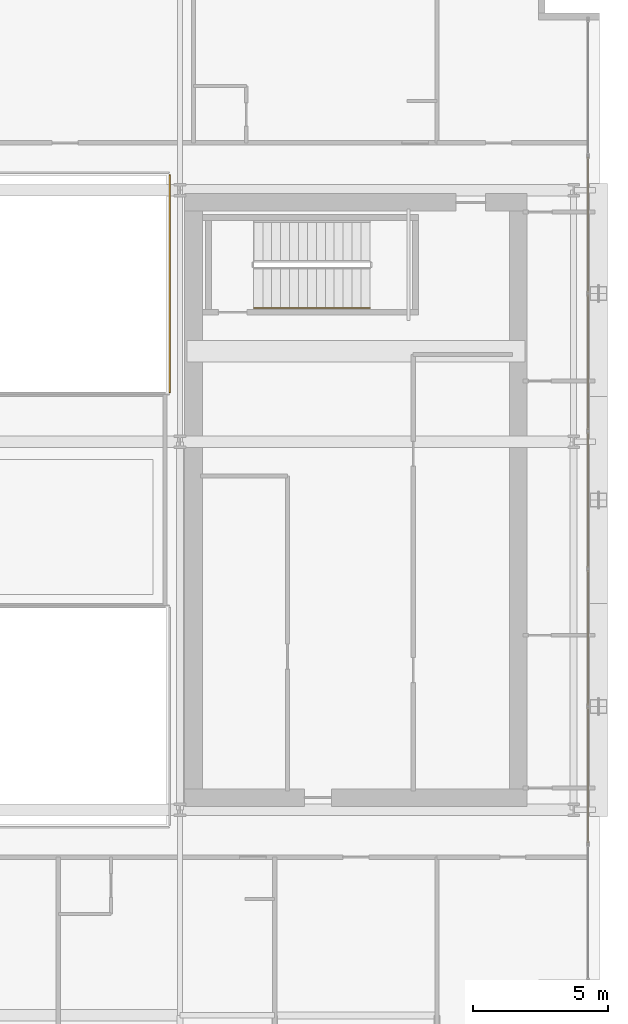
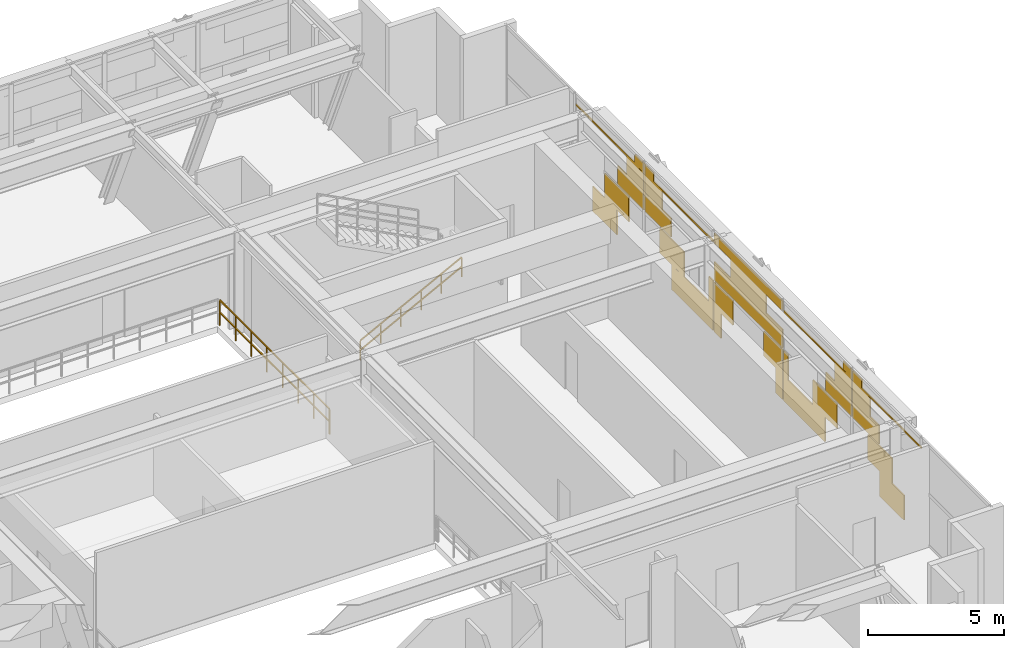
# One storey, part 34 of 35: 2 railings, 1 covering.
"""IFC4 building model written with IfcOpenShell, lengths in metres."""

from ifc_helpers import new_model, si_unit, direction, frame, origin, origin_2d, place, context, subcontext, project, spatial, rectangle, extrude, material, layer, layer_set, type_object, element, save


model = new_model("IFC4")

# Units and contexts
model_context = context("Model", 3, precision=1e-05, world=origin(), true_north=direction((0.0, 1.0)))
body_context = subcontext(model_context, "Body", "Model", "MODEL_VIEW")
ifc_project = project(units=[si_unit("LENGTHUNIT", "METRE"), si_unit("AREAUNIT", "SQUARE_METRE"), si_unit("VOLUMEUNIT", "CUBIC_METRE"), si_unit("PLANEANGLEUNIT", "RADIAN"), si_unit("MASSUNIT", "GRAM", prefix="KILO")], contexts=[model_context])

# Site, building, storey
site_placement = place(None, origin())
site = spatial("IfcSite", under=ifc_project, at=site_placement, CompositionType="ELEMENT")
building_placement = place(site_placement, origin())
building = spatial("IfcBuilding", under=site, at=building_placement, Name="Ocotamira Hotel", CompositionType="ELEMENT")
storey_placement = place(building_placement, frame((0.0, 0.0, 158.39990234375)))
storey = spatial("IfcBuildingStorey", under=building, at=storey_placement, Name="L39", CompositionType="ELEMENT", Elevation=158.39990234375)

# Covering
ifc_material_1 = material(Name="Insulated pale-metal aluminium spandrel panel", Category="aluminium")
ifc_layer = layer(ifc_material_1, 0.044921875)
ifc_layer_set = layer_set([ifc_layer], Name="Insulated pale-metal aluminium spandrel panel")
covering_type = type_object("IfcCoveringType", Name="COV-INFILL-45", PredefinedType="CLADDING", material=ifc_layer_set)
covering_placement = place(storey_placement, origin())
element("IfcCovering", 1, at=covering_placement, inside=storey, type_object=covering_type, Name="L39 Curtain Wall Infill CW-5 CW-L39-E", PredefinedType="CLADDING", context=body_context, shape_type="SweptSolid", body=[
    extrude(rectangle(XDim=1.77001953125, YDim=0.044921875, at=origin_2d()), frame((55.580078125, 15.46630859375, 0.07568359375), z_axis=(0.0, 0.0, 1.0), x_axis=(0.0, 1.0, 0.0)), (0.0, 0.0, 1.0), 1.117919921875),
    extrude(rectangle(XDim=1.77001953125, YDim=0.044921875, at=origin_2d()), frame((55.580078125, 16.3466796875, 1.1943359375), z_axis=(0.0, 0.0, 1.0), x_axis=(0.0, 1.0, 0.0)), (0.0, 0.0, 1.0), 1.117919921875),
    extrude(rectangle(XDim=5.004638671875, YDim=0.044921875, at=origin_2d()), frame((55.580078125, 15.82861328125, 4.048828125), z_axis=(0.0, 0.0, 1.0), x_axis=(0.0, 1.0, 0.0)), (0.0, 0.0, 1.0), 0.073974609375),
    extrude(rectangle(XDim=1.929931640625, YDim=0.044921875, at=origin_2d()), frame((55.580078125, 17.365966796875, 2.38818359375), z_axis=(0.0, 0.0, 1.0), x_axis=(0.0, 1.0, 0.0)), (0.0, 0.0, 1.0), 0.829345703125),
    extrude(rectangle(XDim=1.276611328125, YDim=0.044921875, at=origin_2d()), frame((55.580078125, 17.692626953125, 3.21875), z_axis=(0.0, 0.0, 1.0), x_axis=(0.0, 1.0, 0.0)), (0.0, 0.0, 1.0), 0.829345703125),
    extrude(rectangle(XDim=0.659423828125, YDim=0.044921875, at=origin_2d()), frame((55.580078125, 18.001220703125, 4.12353515625), z_axis=(0.0, 0.0, 1.0), x_axis=(0.0, 1.0, 0.0)), (0.0, 0.0, 1.0), 0.370849609375),
    extrude(rectangle(XDim=1.770263671875, YDim=0.044921875, at=origin_2d()), frame((55.580078125, 20.38671875, 1.1943359375), z_axis=(0.0, 0.0, 1.0), x_axis=(0.0, 1.0, 0.0)), (0.0, 0.0, 1.0), 1.117919921875),
    extrude(rectangle(XDim=3.03466796875, YDim=0.044921875, at=origin_2d()), frame((55.580078125, 21.8994140625, 0.07568359375), z_axis=(0.0, 0.0, 1.0), x_axis=(0.0, 1.0, 0.0)), (0.0, 0.0, 1.0), 1.117919921875),
    extrude(rectangle(XDim=0.32177734375, YDim=0.044921875, at=origin_2d()), frame((55.580078125, 23.255859375, 1.1943359375), z_axis=(0.0, 0.0, 1.0), x_axis=(0.0, 1.0, 0.0)), (0.0, 0.0, 1.0), 1.117919921875),
    extrude(rectangle(XDim=1.92041015625, YDim=0.044921875, at=origin_2d()), frame((55.580078125, 19.3720703125, 2.38818359375), z_axis=(0.0, 0.0, 1.0), x_axis=(0.0, 1.0, 0.0)), (0.0, 0.0, 1.0), 0.829345703125),
    extrude(rectangle(XDim=1.266845703125, YDim=0.044921875, at=origin_2d()), frame((55.580078125, 19.04541015625, 3.21875), z_axis=(0.0, 0.0, 1.0), x_axis=(0.0, 1.0, 0.0)), (0.0, 0.0, 1.0), 0.829345703125),
    extrude(rectangle(XDim=5.004638671875, YDim=0.044921875, at=origin_2d()), frame((55.580078125, 20.914306640625, 4.048828125), z_axis=(0.0, 0.0, 1.0), x_axis=(0.0, 1.0, 0.0)), (0.0, 0.0, 1.0), 0.073974609375),
    extrude(rectangle(XDim=0.64990234375, YDim=0.044921875, at=origin_2d()), frame((55.580078125, 18.73681640625, 4.12353515625), z_axis=(0.0, 0.0, 1.0), x_axis=(0.0, 1.0, 0.0)), (0.0, 0.0, 1.0), 0.370849609375),
    extrude(rectangle(XDim=0.487060546875, YDim=0.044921875, at=origin_2d()), frame((55.580078125, 23.7412109375, 0.07568359375), z_axis=(0.0, 0.0, 1.0), x_axis=(0.0, 1.0, 0.0)), (0.0, 0.0, 1.0), 1.117919921875),
    extrude(rectangle(XDim=1.367431640625, YDim=0.044921875, at=origin_2d()), frame((55.580078125, 24.181396484375, 1.1943359375), z_axis=(0.0, 0.0, 1.0), x_axis=(0.0, 1.0, 0.0)), (0.0, 0.0, 1.0), 1.117919921875),
    extrude(rectangle(XDim=1.367431640625, YDim=0.044921875, at=origin_2d()), frame((55.580078125, 27.818603515625, 1.1943359375), z_axis=(0.0, 0.0, 1.0), x_axis=(0.0, 1.0, 0.0)), (0.0, 0.0, 1.0), 1.117919921875),
    extrude(rectangle(XDim=0.487060546875, YDim=0.044921875, at=origin_2d()), frame((55.580078125, 28.2587890625, 0.07568359375), z_axis=(0.0, 0.0, 1.0), x_axis=(0.0, 1.0, 0.0)), (0.0, 0.0, 1.0), 1.117919921875),
    extrude(rectangle(XDim=5.004638671875, YDim=0.044921875, at=origin_2d()), frame((55.580078125, 26.0, 2.38818359375), z_axis=(0.0, 0.0, 1.0), x_axis=(0.0, 1.0, 0.0)), (0.0, 0.0, 1.0), 0.829345703125),
    extrude(rectangle(XDim=5.004638671875, YDim=0.044921875, at=origin_2d()), frame((55.580078125, 26.0, 4.048828125), z_axis=(0.0, 0.0, 1.0), x_axis=(0.0, 1.0, 0.0)), (0.0, 0.0, 1.0), 0.44580078125),
    extrude(rectangle(XDim=2.62451171875, YDim=0.044921875, at=origin_2d()), frame((55.580078125, 26.0, 3.21875), z_axis=(0.0, 0.0, 1.0), x_axis=(0.0, 1.0, 0.0)), (0.0, 0.0, 1.0), 0.829345703125),
    extrude(rectangle(XDim=3.03466796875, YDim=0.044921875, at=origin_2d()), frame((55.580078125, 30.1005859375, 0.07568359375), z_axis=(0.0, 0.0, 1.0), x_axis=(0.0, 1.0, 0.0)), (0.0, 0.0, 1.0), 1.117919921875),
    extrude(rectangle(XDim=0.32177734375, YDim=0.044921875, at=origin_2d()), frame((55.580078125, 28.744140625, 1.1943359375), z_axis=(0.0, 0.0, 1.0), x_axis=(0.0, 1.0, 0.0)), (0.0, 0.0, 1.0), 1.117919921875),
    extrude(rectangle(XDim=1.770263671875, YDim=0.044921875, at=origin_2d()), frame((55.580078125, 31.61328125, 1.1943359375), z_axis=(0.0, 0.0, 1.0), x_axis=(0.0, 1.0, 0.0)), (0.0, 0.0, 1.0), 1.117919921875),
    extrude(rectangle(XDim=5.004638671875, YDim=0.044921875, at=origin_2d()), frame((55.580078125, 31.085693359375, 4.048828125), z_axis=(0.0, 0.0, 1.0), x_axis=(0.0, 1.0, 0.0)), (0.0, 0.0, 1.0), 0.073974609375),
    extrude(rectangle(XDim=1.92041015625, YDim=0.044921875, at=origin_2d()), frame((55.580078125, 32.6279296875, 2.38818359375), z_axis=(0.0, 0.0, 1.0), x_axis=(0.0, 1.0, 0.0)), (0.0, 0.0, 1.0), 0.829345703125),
    extrude(rectangle(XDim=1.266845703125, YDim=0.044921875, at=origin_2d()), frame((55.580078125, 32.95458984375, 3.21875), z_axis=(0.0, 0.0, 1.0), x_axis=(0.0, 1.0, 0.0)), (0.0, 0.0, 1.0), 0.829345703125),
    extrude(rectangle(XDim=0.64990234375, YDim=0.044921875, at=origin_2d()), frame((55.580078125, 33.26318359375, 4.12353515625), z_axis=(0.0, 0.0, 1.0), x_axis=(0.0, 1.0, 0.0)), (0.0, 0.0, 1.0), 0.370849609375),
    extrude(rectangle(XDim=1.77001953125, YDim=0.044921875, at=origin_2d()), frame((55.580078125, 35.6533203125, 1.1943359375), z_axis=(0.0, 0.0, 1.0), x_axis=(0.0, 1.0, 0.0)), (0.0, 0.0, 1.0), 1.117919921875),
    extrude(rectangle(XDim=1.77001953125, YDim=0.044921875, at=origin_2d()), frame((55.580078125, 36.53369140625, 0.07568359375), z_axis=(0.0, 0.0, 1.0), x_axis=(0.0, 1.0, 0.0)), (0.0, 0.0, 1.0), 1.117919921875),
    extrude(rectangle(XDim=1.929931640625, YDim=0.044921875, at=origin_2d()), frame((55.580078125, 34.634033203125, 2.38818359375), z_axis=(0.0, 0.0, 1.0), x_axis=(0.0, 1.0, 0.0)), (0.0, 0.0, 1.0), 0.829345703125),
    extrude(rectangle(XDim=1.276611328125, YDim=0.044921875, at=origin_2d()), frame((55.580078125, 34.307373046875, 3.21875), z_axis=(0.0, 0.0, 1.0), x_axis=(0.0, 1.0, 0.0)), (0.0, 0.0, 1.0), 0.829345703125),
    extrude(rectangle(XDim=5.004638671875, YDim=0.044921875, at=origin_2d()), frame((55.580078125, 36.17138671875, 4.048828125), z_axis=(0.0, 0.0, 1.0), x_axis=(0.0, 1.0, 0.0)), (0.0, 0.0, 1.0), 0.073974609375),
    extrude(rectangle(XDim=0.659423828125, YDim=0.044921875, at=origin_2d()), frame((55.580078125, 33.998779296875, 4.12353515625), z_axis=(0.0, 0.0, 1.0), x_axis=(0.0, 1.0, 0.0)), (0.0, 0.0, 1.0), 0.370849609375),
])

# Railings
ifc_material_2 = material(Name="Painted steel stair guardrail", Category="steel")
railing_type_1 = type_object("IfcRailingType", Name="RL-EDGE-1150", PredefinedType="GUARDRAIL", material=ifc_material_2)
railing_1_placement = place(storey_placement, frame((40.1201171875, 29.97998046875, 0.0)))
element("IfcRailing", 2, at=railing_1_placement, inside=storey, type_object=railing_type_1, Name="L39 Atrium Bridge Lightwell Guard N E", PredefinedType="GUARDRAIL", context=body_context, shape_type="SweptSolid", body=[
    extrude(rectangle(XDim=0.048095703125, YDim=0.048095703125, at=origin_2d()), frame((0.0, 0.0, 1.1259765625), z_axis=(0.0, 1.0, 0.0), x_axis=(-1.0, 0.0, 0.0)), (0.0, 0.0, 1.0), 8.0400390625),
    extrude(rectangle(XDim=0.048095703125, YDim=0.048095703125, at=origin_2d()), frame((0.0, 0.0, 0.574951171875), z_axis=(0.0, 1.0, 0.0), x_axis=(-1.0, 0.0, 0.0)), (0.0, 0.0, 1.0), 8.0400390625),
    extrude(rectangle(XDim=0.0419921875, YDim=0.0419921875, at=origin_2d()), origin(), (0.0, 0.0, 1.0), 1.101806640625),
    extrude(rectangle(XDim=0.0419921875, YDim=0.0419921875, at=origin_2d()), frame((0.0, 1.148681640625, 0.0)), (0.0, 0.0, 1.0), 1.101806640625),
    extrude(rectangle(XDim=0.0419921875, YDim=0.0419921875, at=origin_2d()), frame((0.0, 2.297119140625, 0.0)), (0.0, 0.0, 1.0), 1.101806640625),
    extrude(rectangle(XDim=0.0419921875, YDim=0.0419921875, at=origin_2d()), frame((0.0, 3.44580078125, 0.0)), (0.0, 0.0, 1.0), 1.101806640625),
    extrude(rectangle(XDim=0.0419921875, YDim=0.0419921875, at=origin_2d()), frame((0.0, 4.59423828125, 0.0)), (0.0, 0.0, 1.0), 1.101806640625),
    extrude(rectangle(XDim=0.0419921875, YDim=0.0419921875, at=origin_2d()), frame((0.0, 5.742919921875, 0.0)), (0.0, 0.0, 1.0), 1.101806640625),
    extrude(rectangle(XDim=0.0419921875, YDim=0.0419921875, at=origin_2d()), frame((0.0, 6.891357421875, 0.0)), (0.0, 0.0, 1.0), 1.101806640625),
    extrude(rectangle(XDim=0.0419921875, YDim=0.0419921875, at=origin_2d()), frame((0.0, 8.0400390625, 0.0)), (0.0, 0.0, 1.0), 1.101806640625),
])
ifc_material_3 = material(Name="Brushed stainless steel handrail", Category="steel")
railing_type_2 = type_object("IfcRailingType", Name="RL-HAND-900", PredefinedType="HANDRAIL", material=ifc_material_3)
railing_2_placement = place(storey_placement, frame((43.22998046875, 33.10009765625, 0.343017578125)))
element("IfcRailing", 3, at=railing_2_placement, inside=storey, type_object=railing_type_2, Name="L39 ST-4 stair handrail 1", PredefinedType="HANDRAIL", context=body_context, shape_type="SweptSolid", body=[
    extrude(rectangle(XDim=0.048095703125, YDim=0.048095703125, at=origin_2d()), frame((0.0, 0.0, 0.8759765625), z_axis=(0.887411858541, 0.0, 0.46097743255), x_axis=(0.0, 1.0, 0.0)), (0.0, 0.0, 1.0), 4.834228515625),
    extrude(rectangle(XDim=0.048095703125, YDim=0.048095703125, at=origin_2d()), frame((0.0, 0.0, 0.449951171875), z_axis=(0.887411858541, 0.0, 0.46097743255), x_axis=(0.0, 1.0, 0.0)), (0.0, 0.0, 1.0), 4.834228515625),
    extrude(rectangle(XDim=0.0419921875, YDim=0.0419921875, at=origin_2d()), origin(), (0.0, 0.0, 1.0), 0.851806640625),
    extrude(rectangle(XDim=0.0419921875, YDim=0.0419921875, at=origin_2d()), frame((0.85791015625, 0.0, 0.44580078125)), (0.0, 0.0, 1.0), 0.851806640625),
    extrude(rectangle(XDim=0.0419921875, YDim=0.0419921875, at=origin_2d()), frame((1.716064453125, 0.0, 0.891357421875)), (0.0, 0.0, 1.0), 0.851806640625),
    extrude(rectangle(XDim=0.0419921875, YDim=0.0419921875, at=origin_2d()), frame((2.573974609375, 0.0, 1.337158203125)), (0.0, 0.0, 1.0), 0.851806640625),
    extrude(rectangle(XDim=0.0419921875, YDim=0.0419921875, at=origin_2d()), frame((3.43212890625, 0.0, 1.78271484375)), (0.0, 0.0, 1.0), 0.851806640625),
    extrude(rectangle(XDim=0.0419921875, YDim=0.0419921875, at=origin_2d()), frame((4.2900390625, 0.0, 2.228515625)), (0.0, 0.0, 1.0), 0.851806640625),
])

save(model, "model.ifc")
